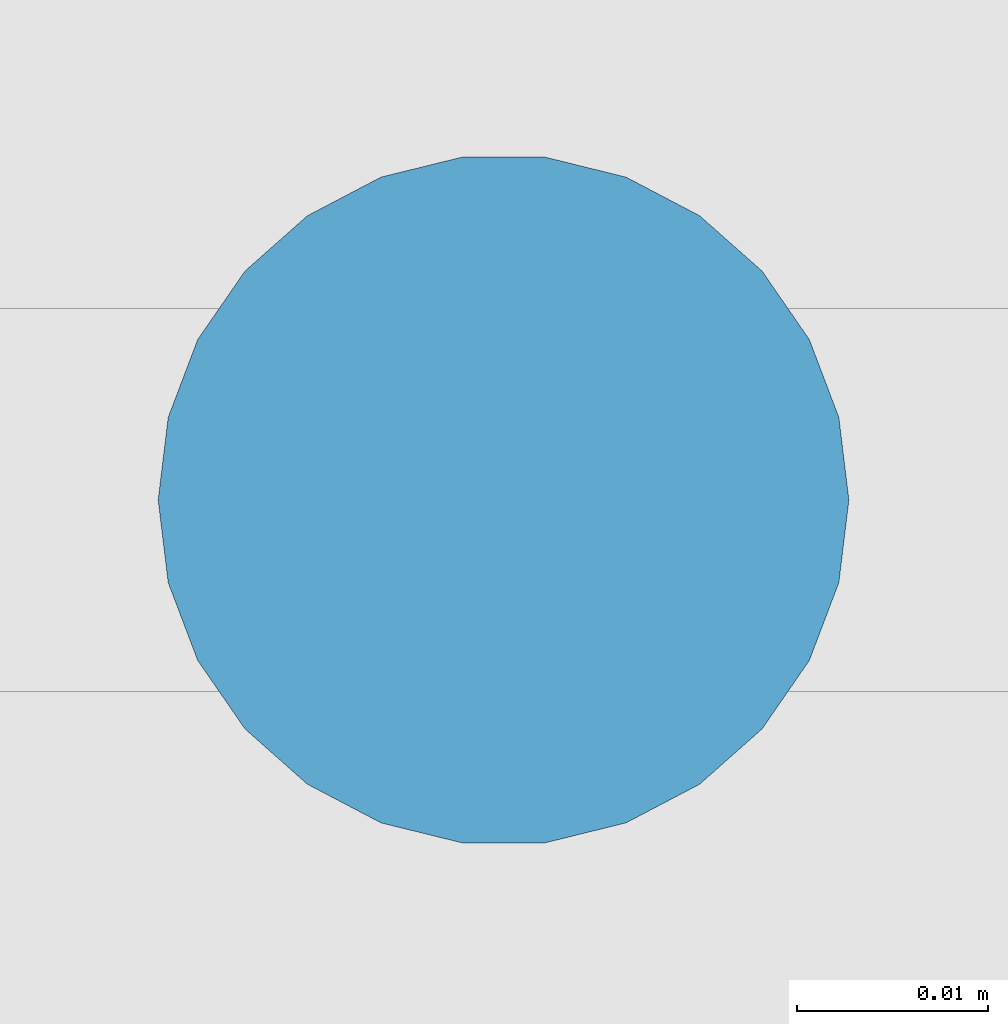
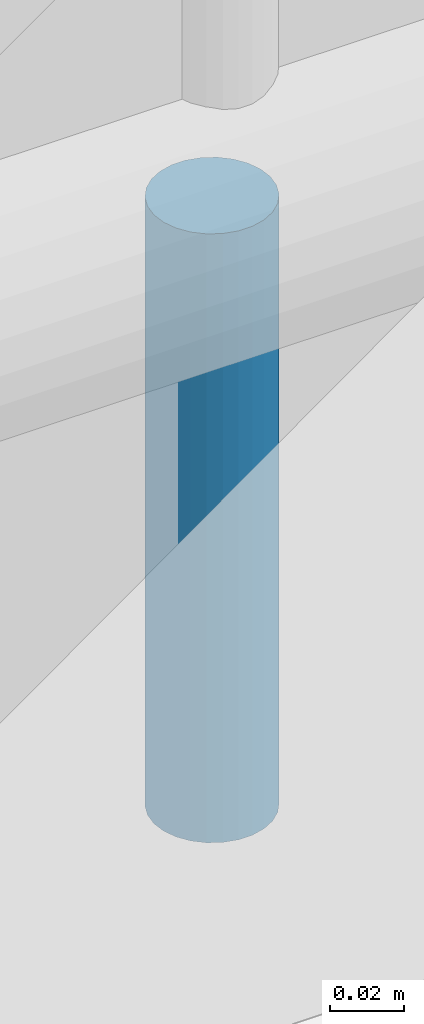
# One storey, part 238 of 321: 1 member.
"""IFC4 building model written with IfcOpenShell, lengths in metres."""

from ifc_helpers import new_model, si_unit, direction, frame, origin, origin_2d, place, context, subcontext, project, spatial, circle, extrude, material, material_profile, profile_set, type_object, element, save


model = new_model("IFC4")

# Units and contexts
model_context = context("Model", 3, precision=1e-05, world=origin(), true_north=direction((0.0, 1.0)))
body_context = subcontext(model_context, "Body", "Model", "MODEL_VIEW")
ifc_project = project(units=[si_unit("LENGTHUNIT", "METRE"), si_unit("AREAUNIT", "SQUARE_METRE"), si_unit("VOLUMEUNIT", "CUBIC_METRE"), si_unit("PLANEANGLEUNIT", "RADIAN"), si_unit("MASSUNIT", "GRAM", prefix="KILO")], contexts=[model_context])

# Site, building, storey
site_placement = place(None, origin())
site = spatial("IfcSite", under=ifc_project, at=site_placement, CompositionType="ELEMENT")
building_placement = place(site_placement, origin())
building = spatial("IfcBuilding", under=site, at=building_placement, Name="Ravi Spectrum Wholesale Market", CompositionType="ELEMENT")
storey_placement = place(building_placement, frame((0.0, 0.0, 10.800048828125)))
storey = spatial("IfcBuildingStorey", under=building, at=storey_placement, Name="L02", CompositionType="ELEMENT", Elevation=10.800048828125)

# Member
ifc_material = material(Name="Steel S355", Category="steel")
ifc_material_profile = material_profile(ifc_material, circle(Radius=0.01806640625, at=origin_2d()))
ifc_profile_set = profile_set([ifc_material_profile], Name="Steel S355")
member_type = type_object("IfcMemberType", Name="ROD 36 hanger", PredefinedType="STRUT", material=ifc_profile_set)
member_placement = place(storey_placement, frame((96.11572265625, 30.0, 0.0), z_axis=(0.0, 0.0, -1.0), x_axis=(1.0, 0.0, 0.0)))
element("IfcMember", 1, at=member_placement, inside=storey, type_object=member_type, Name="H1-MB-L02-1732", PredefinedType="STRUT", context=body_context, shape_type="SweptSolid", body=[
    extrude(circle(Radius=0.01806640625, at=origin_2d()), origin(), (0.0, 0.0, 1.0), 0.199951171875),
])

save(model, "model.ifc")
